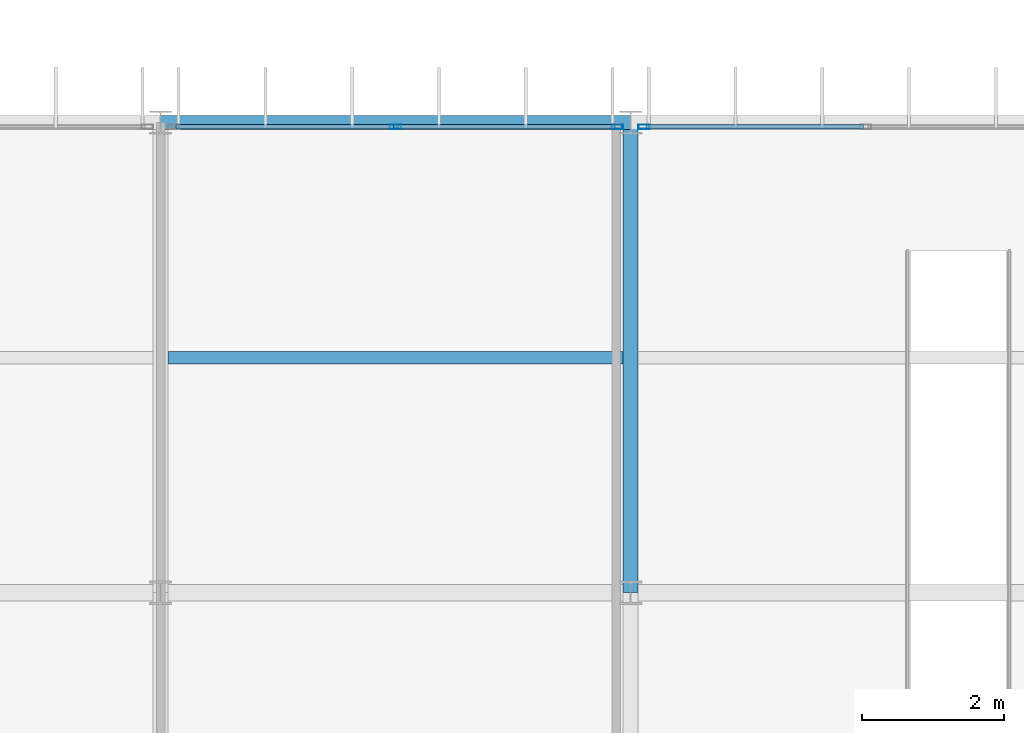
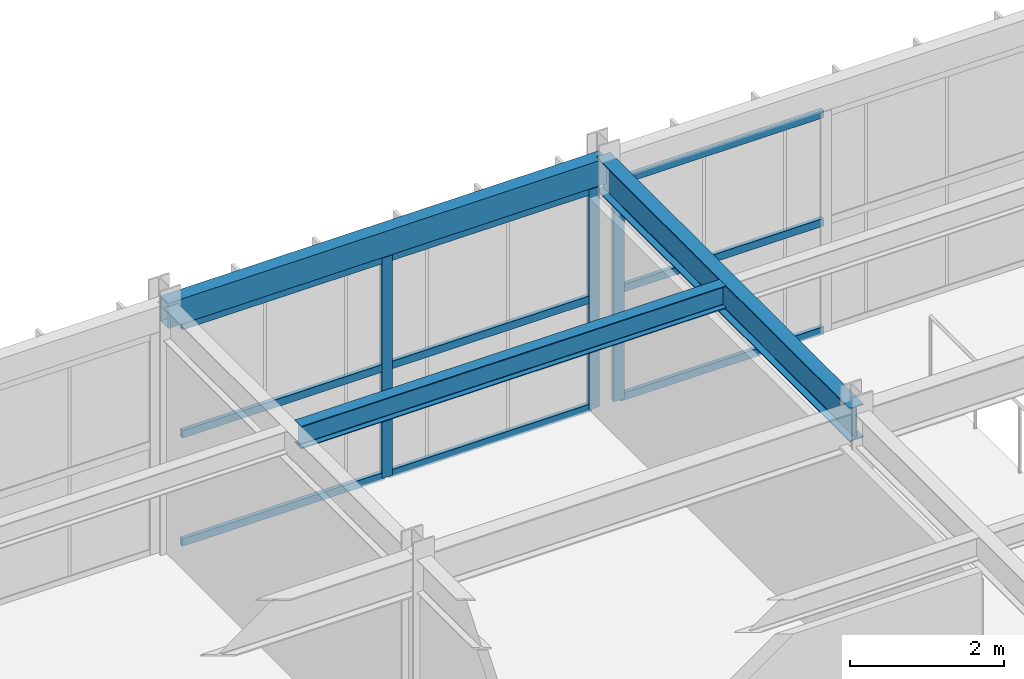
# One storey, part 83 of 130: 12 members, 3 beams, 2 elements without a shape of their own.
"""IFC4 building model written with IfcOpenShell, lengths in metres."""

from ifc_helpers import new_model, si_unit, direction, frame, origin, origin_2d, place, context, subcontext, project, spatial, hollow_rectangle, i_section, extrude, material, material_profile, profile_set, type_object, element, aggregate, save


model = new_model("IFC4")

# Units and contexts
model_context = context("Model", 3, precision=1e-05, world=origin(), true_north=direction((0.0, 1.0)))
body_context = subcontext(model_context, "Body", "Model", "MODEL_VIEW")
ifc_project = project(units=[si_unit("LENGTHUNIT", "METRE"), si_unit("AREAUNIT", "SQUARE_METRE"), si_unit("VOLUMEUNIT", "CUBIC_METRE"), si_unit("PLANEANGLEUNIT", "RADIAN"), si_unit("MASSUNIT", "GRAM", prefix="KILO")], contexts=[model_context])

# Site, building, storey
site_placement = place(None, origin())
site = spatial("IfcSite", under=ifc_project, at=site_placement, CompositionType="ELEMENT")
building_placement = place(site_placement, origin())
building = spatial("IfcBuilding", under=site, at=building_placement, Name="Karori Crest Natural Sciences Institute", CompositionType="ELEMENT")
storey_placement = place(building_placement, frame((0.0, 0.0, 17.5)))
storey = spatial("IfcBuildingStorey", under=building, at=storey_placement, Name="L04", CompositionType="ELEMENT", Elevation=17.5)

# Beams
ifc_material_1 = material(Name="Structural steel AS/NZS 3679.1 Grade 350", Category="steel")
ifc_material_profile_1 = material_profile(ifc_material_1, i_section(OverallWidth=0.208984375, OverallDepth=0.532958984375, WebThickness=0.01025390625, FlangeThickness=0.015625, FilletRadius=0.013916015625, at=origin_2d()), Name="530UB92.4")
ifc_profile_set_1 = profile_set([ifc_material_profile_1], Name="Structural steel AS/NZS 3679.1 Grade 350")
beam_type_1 = type_object("IfcBeamType", Name="BT-05", PredefinedType="BEAM", material=ifc_profile_set_1)
beam_1_placement = place(storey_placement, frame((143.199951171875, 14.0, 3.653564453125), z_axis=(0.0, 1.0, 0.0), x_axis=(-1.0, 0.0, 0.0)))
element("IfcBeam", 1, at=beam_1_placement, inside=storey, type_object=beam_type_1, Name="Beam B-2421", PredefinedType="BEAM", context=body_context, shape_type="SweptSolid", body=[
    extrude(i_section(OverallWidth=0.208984375, OverallDepth=0.532958984375, WebThickness=0.01025390625, FlangeThickness=0.015625, FilletRadius=0.013916015625, at=origin_2d()), origin(), (0.0, 0.0, 1.0), 6.60009765625),
])
ifc_material_profile_2 = material_profile(ifc_material_1, i_section(OverallWidth=0.172119140625, OverallDepth=0.35888671875, WebThickness=0.008056640625, FlangeThickness=0.012939453125, FilletRadius=0.010986328125, at=origin_2d()), Name="360UB56.7")
ifc_profile_set_2 = profile_set([ifc_material_profile_2], Name="Structural steel AS/NZS 3679.1 Grade 350")
beam_type_2 = type_object("IfcBeamType", Name="BT-08", PredefinedType="BEAM", material=ifc_profile_set_2)
beam_2_placement = place(storey_placement, frame((136.70458984375, 17.300048828125, 3.740478515625), z_axis=(1.0, 0.0, 0.0), x_axis=(0.0, 1.0, 0.0)))
element("IfcBeam", 2, at=beam_2_placement, inside=storey, type_object=beam_type_2, Name="Beam B-2444", PredefinedType="BEAM", context=body_context, shape_type="SweptSolid", body=[
    extrude(i_section(OverallWidth=0.172119140625, OverallDepth=0.35888671875, WebThickness=0.008056640625, FlangeThickness=0.012939453125, FilletRadius=0.010986328125, at=origin_2d()), origin(), (0.0, 0.0, 1.0), 6.390869140625),
])
ifc_material_2 = material(Name="Hollow structural steel AS/NZS 1163 Grade C350", Category="steel")
ifc_material_profile_3 = material_profile(ifc_material_2, hollow_rectangle(XDim=0.199951171875, YDim=0.39990234375, WallThickness=0.012451171875, at=origin_2d()), Name="RHS400x200x12.5")
ifc_profile_set_3 = profile_set([ifc_material_profile_3], Name="Hollow structural steel AS/NZS 1163 Grade C350")
beam_type_3 = type_object("IfcBeamType", Name="BT-14", PredefinedType="SPANDREL", material=ifc_profile_set_3)
beam_3_placement = place(storey_placement, frame((136.60009765625, 20.60009765625, 3.719970703125), z_axis=(1.0, 0.0, 0.0), x_axis=(0.0, 1.0, 0.0)))
element("IfcBeam", 3, at=beam_3_placement, inside=storey, type_object=beam_type_3, Name="Beam B-2397", PredefinedType="SPANDREL", context=body_context, shape_type="SweptSolid", body=[
    extrude(hollow_rectangle(XDim=0.199951171875, YDim=0.39990234375, WallThickness=0.012451171875, at=origin_2d()), origin(), (0.0, 0.0, 1.0), 6.599853515625),
])

# Curtain wall, members
ifc_material_3 = material(Name="Anodised architectural aluminium 6063-T6", Category="aluminium")
curtain_wall_type = type_object("IfcCurtainWallType", Name="CWT-20", PredefinedType="NOTDEFINED", material=ifc_material_3)
curtain_wall_1_placement = place(storey_placement, origin())
curtain_wall_1 = element("IfcCurtainWall", 4, at=curtain_wall_1_placement, inside=storey, type_object=curtain_wall_type, Name="Curtain wall CW-0336", PredefinedType="NOTDEFINED")
ifc_material_profile_4 = material_profile(ifc_material_3, hollow_rectangle(XDim=0.06494140625, YDim=0.159912109375, WallThickness=0.00390625, at=origin_2d()), Name="CWM160x65x4")
ifc_profile_set_4 = profile_set([ifc_material_profile_4], Name="Anodised architectural aluminium 6063-T6")
member_type_1 = type_object("IfcMemberType", Name="CWM-01", PredefinedType="MULLION", material=ifc_profile_set_4)
member_1_placement = place(storey_placement, frame((139.89990234375, 20.5400390625, 0.0), z_axis=(0.0, 0.0, 1.0), x_axis=(0.0, 1.0, 0.0)))
member_1 = element("IfcMember", 5, at=member_1_placement, type_object=member_type_1, Name="CW-0336 mullion 2", PredefinedType="MULLION", context=body_context, shape_type="SweptSolid", body=[
    extrude(hollow_rectangle(XDim=0.06494140625, YDim=0.159912109375, WallThickness=0.00390625, at=origin_2d()), origin(), (0.0, 0.0, 1.0), 3.5048828125),
])
member_2_placement = place(storey_placement, frame((143.013916015625, 20.5400390625, 0.0), z_axis=(0.0, 0.0, 1.0), x_axis=(0.0, 1.0, 0.0)))
member_2 = element("IfcMember", 6, at=member_2_placement, type_object=member_type_1, Name="CW-0336 mullion 3", PredefinedType="MULLION", context=body_context, shape_type="SweptSolid", body=[
    extrude(hollow_rectangle(XDim=0.06494140625, YDim=0.159912109375, WallThickness=0.00390625, at=origin_2d()), origin(), (0.0, 0.0, 1.0), 3.5048828125),
])

# Curtain wall, member
curtain_wall_2_placement = place(storey_placement, origin())
curtain_wall_2 = element("IfcCurtainWall", 7, at=curtain_wall_2_placement, inside=storey, type_object=curtain_wall_type, Name="Curtain wall CW-0337", PredefinedType="NOTDEFINED")
member_3_placement = place(storey_placement, frame((143.385986328125, 20.5400390625, 0.0), z_axis=(0.0, 0.0, 1.0), x_axis=(0.0, 1.0, 0.0)))
member_3 = element("IfcMember", 8, at=member_3_placement, type_object=member_type_1, Name="CW-0337 mullion 1", PredefinedType="MULLION", context=body_context, shape_type="SweptSolid", body=[
    extrude(hollow_rectangle(XDim=0.06494140625, YDim=0.159912109375, WallThickness=0.00390625, at=origin_2d()), origin(), (0.0, 0.0, 1.0), 3.5048828125),
])

# Member
ifc_material_profile_5 = material_profile(ifc_material_3, hollow_rectangle(XDim=0.06005859375, YDim=0.1201171875, WallThickness=0.00390625, at=origin_2d()), Name="CWT120x60x4")
ifc_profile_set_5 = profile_set([ifc_material_profile_5], Name="Anodised architectural aluminium 6063-T6")
member_type_2 = type_object("IfcMemberType", Name="CWT-TR1", PredefinedType="USERDEFINED", material=ifc_profile_set_5)
member_4_placement = place(storey_placement, frame((136.818603515625, 20.5400390625, 0.030029296875), z_axis=(1.0, 0.0, 0.0), x_axis=(0.0, 1.0, 0.0)))
member_4 = element("IfcMember", 9, at=member_4_placement, type_object=member_type_2, Name="CW-0336 transom 1.1", ObjectType="TRANSOM", PredefinedType="USERDEFINED", context=body_context, shape_type="SweptSolid", body=[
    extrude(hollow_rectangle(XDim=0.06005859375, YDim=0.1201171875, WallThickness=0.00390625, at=origin_2d()), origin(), (0.0, 0.0, 1.0), 3.048828125),
])

member_5_placement = place(storey_placement, frame((136.818603515625, 20.5400390625, 1.75244140625), z_axis=(1.0, 0.0, 0.0), x_axis=(0.0, 1.0, 0.0)))
member_5 = element("IfcMember", 10, at=member_5_placement, type_object=member_type_2, Name="CW-0336 transom 1.2", ObjectType="TRANSOM", PredefinedType="USERDEFINED", context=body_context, shape_type="SweptSolid", body=[
    extrude(hollow_rectangle(XDim=0.06005859375, YDim=0.1201171875, WallThickness=0.00390625, at=origin_2d()), origin(), (0.0, 0.0, 1.0), 3.048828125),
])

member_6_placement = place(storey_placement, frame((136.818603515625, 20.5400390625, 3.47509765625), z_axis=(1.0, 0.0, 0.0), x_axis=(0.0, 1.0, 0.0)))
member_6 = element("IfcMember", 11, at=member_6_placement, type_object=member_type_2, Name="CW-0336 transom 1.3", ObjectType="TRANSOM", PredefinedType="USERDEFINED", context=body_context, shape_type="SweptSolid", body=[
    extrude(hollow_rectangle(XDim=0.06005859375, YDim=0.1201171875, WallThickness=0.00390625, at=origin_2d()), origin(), (0.0, 0.0, 1.0), 3.048828125),
])

member_7_placement = place(storey_placement, frame((139.9326171875, 20.5400390625, 0.030029296875), z_axis=(1.0, 0.0, 0.0), x_axis=(0.0, 1.0, 0.0)))
member_7 = element("IfcMember", 12, at=member_7_placement, type_object=member_type_2, Name="CW-0336 transom 2.1", ObjectType="TRANSOM", PredefinedType="USERDEFINED", context=body_context, shape_type="SweptSolid", body=[
    extrude(hollow_rectangle(XDim=0.06005859375, YDim=0.1201171875, WallThickness=0.00390625, at=origin_2d()), origin(), (0.0, 0.0, 1.0), 3.048828125),
])

member_8_placement = place(storey_placement, frame((139.9326171875, 20.5400390625, 1.75244140625), z_axis=(1.0, 0.0, 0.0), x_axis=(0.0, 1.0, 0.0)))
member_8 = element("IfcMember", 13, at=member_8_placement, type_object=member_type_2, Name="CW-0336 transom 2.2", ObjectType="TRANSOM", PredefinedType="USERDEFINED", context=body_context, shape_type="SweptSolid", body=[
    extrude(hollow_rectangle(XDim=0.06005859375, YDim=0.1201171875, WallThickness=0.00390625, at=origin_2d()), origin(), (0.0, 0.0, 1.0), 3.048828125),
])

member_9_placement = place(storey_placement, frame((139.9326171875, 20.5400390625, 3.47509765625), z_axis=(1.0, 0.0, 0.0), x_axis=(0.0, 1.0, 0.0)))
member_9 = element("IfcMember", 14, at=member_9_placement, type_object=member_type_2, Name="CW-0336 transom 2.3", ObjectType="TRANSOM", PredefinedType="USERDEFINED", context=body_context, shape_type="SweptSolid", body=[
    extrude(hollow_rectangle(XDim=0.06005859375, YDim=0.1201171875, WallThickness=0.00390625, at=origin_2d()), origin(), (0.0, 0.0, 1.0), 3.048828125),
])

aggregate(curtain_wall_1, [member_1, member_2, member_4, member_5, member_6, member_7, member_8, member_9])

member_10_placement = place(storey_placement, frame((143.41845703125, 20.5400390625, 0.030029296875), z_axis=(1.0, 0.0, 0.0), x_axis=(0.0, 1.0, 0.0)))
member_10 = element("IfcMember", 15, at=member_10_placement, type_object=member_type_2, Name="CW-0337 transom 1.1", ObjectType="TRANSOM", PredefinedType="USERDEFINED", context=body_context, shape_type="SweptSolid", body=[
    extrude(hollow_rectangle(XDim=0.06005859375, YDim=0.1201171875, WallThickness=0.00390625, at=origin_2d()), origin(), (0.0, 0.0, 1.0), 3.049072265625),
])

member_11_placement = place(storey_placement, frame((143.41845703125, 20.5400390625, 1.75244140625), z_axis=(1.0, 0.0, 0.0), x_axis=(0.0, 1.0, 0.0)))
member_11 = element("IfcMember", 16, at=member_11_placement, type_object=member_type_2, Name="CW-0337 transom 1.2", ObjectType="TRANSOM", PredefinedType="USERDEFINED", context=body_context, shape_type="SweptSolid", body=[
    extrude(hollow_rectangle(XDim=0.06005859375, YDim=0.1201171875, WallThickness=0.00390625, at=origin_2d()), origin(), (0.0, 0.0, 1.0), 3.049072265625),
])

member_12_placement = place(storey_placement, frame((143.41845703125, 20.5400390625, 3.47509765625), z_axis=(1.0, 0.0, 0.0), x_axis=(0.0, 1.0, 0.0)))
member_12 = element("IfcMember", 17, at=member_12_placement, type_object=member_type_2, Name="CW-0337 transom 1.3", ObjectType="TRANSOM", PredefinedType="USERDEFINED", context=body_context, shape_type="SweptSolid", body=[
    extrude(hollow_rectangle(XDim=0.06005859375, YDim=0.1201171875, WallThickness=0.00390625, at=origin_2d()), origin(), (0.0, 0.0, 1.0), 3.049072265625),
])

aggregate(curtain_wall_2, [member_3, member_10, member_11, member_12])

save(model, "model.ifc")
